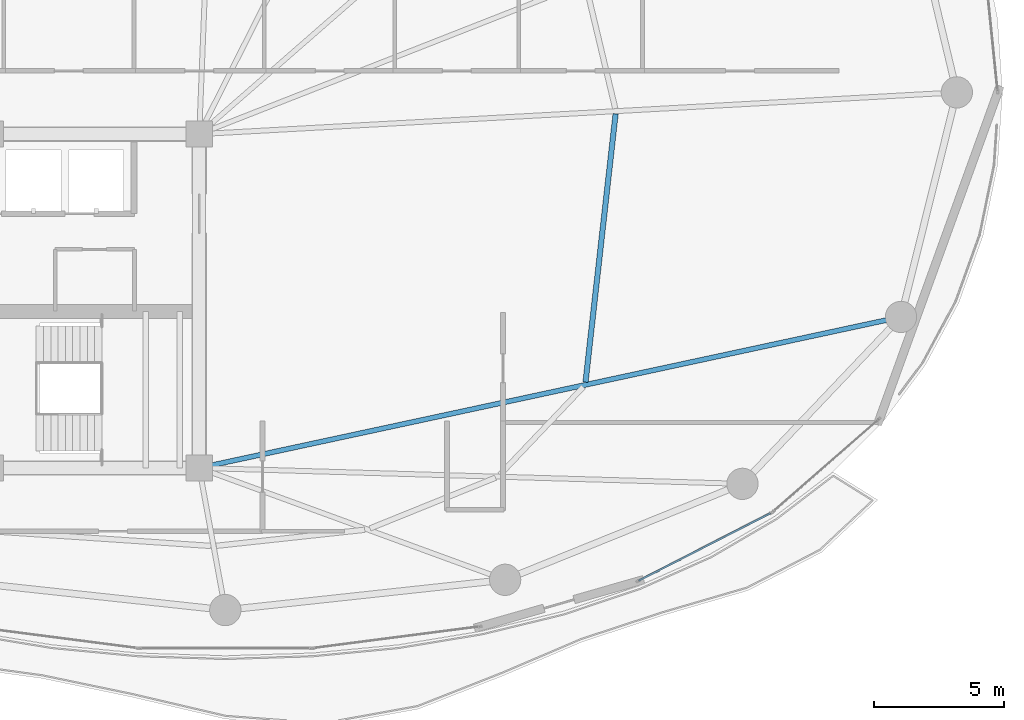
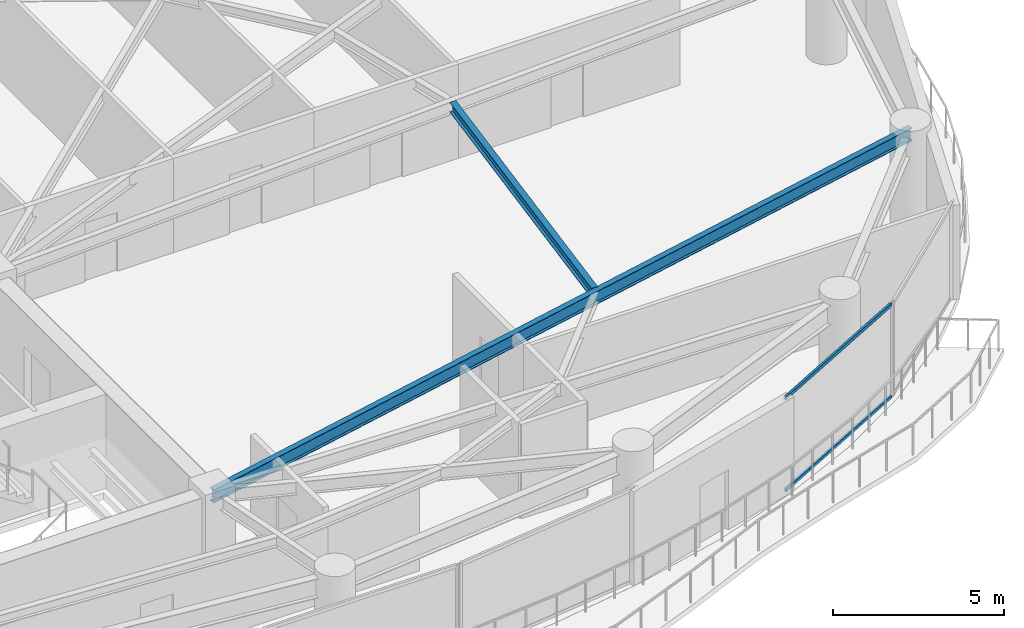
# One storey, part 12 of 30: 2 beams, 2 members, 1 element without a shape of its own.
"""IFC4 building model written with IfcOpenShell, lengths in metres."""

import ifcopenshell
import ifcopenshell.guid

model = None  # the IFC model being written
_history = None  # IfcOwnerHistory: only IFC2X3 demands one
_inside = {}  # id of a spatial element -> (the spatial element, [elements in it])
_under = {}  # id of a project, library or spatial element -> (it, [spatial elements below it])
_declared = {}  # id of a project -> (the project, [libraries it declares])
_typed = {}  # id of a type object -> (the type object, [elements of that type])
_made_of = {}  # id of a material, layer set ... -> (it, [elements and type objects made of it])


def new_model(schema):
    """Start an empty IFC model of exactly this schema.

    Asked for "IFC4X3", IfcOpenShell would pick the latest addendum, in which some entities
    have other attributes; the version numbers below select the first issue.
    IFC2X3 requires an IfcOwnerHistory on every rooted entity: one is made here for all.
    """
    global model, _history
    if schema == "IFC4X3":
        model = ifcopenshell.file(schema_version=(4, 3, 0, 0))
    else:
        model = ifcopenshell.file(schema=schema)
    _inside.clear()
    _under.clear()
    _declared.clear()
    _typed.clear()
    _made_of.clear()
    _history = None
    if model.schema == "IFC2X3":
        org = make("IfcOrganization", Name="unknown")
        user = make(
            "IfcPersonAndOrganization",
            ThePerson=make("IfcPerson", FamilyName="unknown"),
            TheOrganization=org,
        )
        app = make(
            "IfcApplication",
            ApplicationDeveloper=org,
            Version="unknown",
            ApplicationFullName="unknown",
            ApplicationIdentifier="unknown",
        )
        _history = make(
            "IfcOwnerHistory",
            OwningUser=user,
            OwningApplication=app,
            ChangeAction="ADDED",
            CreationDate=0,
        )
    return model


def make(cls, **values):
    """One entity of the class cls with the attributes given. An attribute that is None is left unset."""
    return model.create_entity(
        cls, **{name: value for name, value in values.items() if value is not None}
    )


def rooted(cls, **values):
    """An entity with a GlobalId (a new one), such as an element, a storey or a relation."""
    return make(cls, GlobalId=ifcopenshell.guid.new(), OwnerHistory=_history, **values)


def si_unit(unit_type, name, prefix=None):
    """IfcSIUnit, for example si_unit("LENGTHUNIT", "METRE", prefix="MILLI")."""
    return make("IfcSIUnit", UnitType=unit_type, Prefix=prefix, Name=name)


def assignment(units):
    """IfcUnitAssignment: the units of a project."""
    return None if units is None else make("IfcUnitAssignment", Units=units)


def point(xyz):
    """IfcCartesianPoint."""
    return None if xyz is None else make("IfcCartesianPoint", Coordinates=xyz)


def direction(xyz):
    """IfcDirection."""
    return None if xyz is None else make("IfcDirection", DirectionRatios=xyz)


def frame(location, z_axis=None, x_axis=None):
    """IfcAxis2Placement3D, a coordinate frame: its origin and axes. An axis left out is left unset."""
    return make(
        "IfcAxis2Placement3D",
        Location=point(location),
        Axis=direction(z_axis),
        RefDirection=direction(x_axis),
    )


def frame_2d(location, x_axis=None):
    """IfcAxis2Placement2D, a coordinate frame in the plane: its origin and x axis."""
    return make(
        "IfcAxis2Placement2D", Location=point(location), RefDirection=direction(x_axis)
    )


def origin():
    """The frame at (0, 0, 0) with its axes left unset."""
    return frame((0.0, 0.0, 0.0))


def origin_2d():
    """The frame at (0, 0) in the plane with its x axis left unset."""
    return frame_2d((0.0, 0.0))


def place(relative_to, where):
    """IfcLocalPlacement: puts the frame where relative to a parent placement (None: the world)."""
    return make(
        "IfcLocalPlacement", PlacementRelTo=relative_to, RelativePlacement=where
    )


def context(
    kind, dimensions, precision=None, world=None, true_north=None, identifier=None
):
    """IfcGeometricRepresentationContext, for example the 3D "Model" context."""
    return make(
        "IfcGeometricRepresentationContext",
        ContextIdentifier=identifier,
        ContextType=kind,
        CoordinateSpaceDimension=dimensions,
        Precision=precision,
        WorldCoordinateSystem=world,
        TrueNorth=true_north,
    )


def subcontext(parent, identifier, kind, view, scale=None):
    """IfcGeometricRepresentationSubContext, for example "Body" below "Model"."""
    return make(
        "IfcGeometricRepresentationSubContext",
        ContextIdentifier=identifier,
        ContextType=kind,
        ParentContext=parent,
        TargetScale=scale,
        TargetView=view,
    )


def project(units=None, contexts=None):
    """IfcProject with its units and contexts."""
    return rooted(
        "IfcProject",
        Name="project",
        RepresentationContexts=contexts,
        UnitsInContext=assignment(units),
    )


def spatial(cls, under=None, at=None, **own):
    """A site, building, storey or space (cls), placed at a placement, below another one or the project."""
    s = rooted(cls, ObjectPlacement=at, **own)
    if under is not None:
        _under.setdefault(under.id(), (under, []))[1].append(s)
    return s


def profile(cls, at=None, kind="AREA", **sizes):
    """A parametric profile (cls). Its sizes go by their IFC names, for example OverallWidth=200.0."""
    return make(cls, ProfileType=kind, Position=at, **sizes)


def hollow_rectangle(**sizes):
    """IfcRectangleHollowProfileDef."""
    return profile("IfcRectangleHollowProfileDef", **sizes)


def i_section(**sizes):
    """IfcIShapeProfileDef."""
    return profile("IfcIShapeProfileDef", **sizes)


def extrude(swept, where, along, depth):
    """IfcExtrudedAreaSolid: the profile swept, set in the frame where, extruded along a direction by depth."""
    return make(
        "IfcExtrudedAreaSolid",
        SweptArea=swept,
        Position=where,
        ExtrudedDirection=direction(along),
        Depth=depth,
    )


def shape(context_of_items, identifier, shape_type, items):
    """IfcShapeRepresentation: the items that make up one representation, for example the "Body"."""
    return make(
        "IfcShapeRepresentation",
        ContextOfItems=context_of_items,
        RepresentationIdentifier=identifier,
        RepresentationType=shape_type,
        Items=items,
    )


def material(Name=None, Category=None):
    """IfcMaterial."""
    return make("IfcMaterial", Name=Name, Category=Category)


def layer(
    of_material, thickness, ventilated=None, Name=None, Category=None, Priority=None
):
    """IfcMaterialLayer: one layer of a wall or slab, of a material (None: an air gap)."""
    return make(
        "IfcMaterialLayer",
        Material=of_material,
        LayerThickness=thickness,
        IsVentilated=ventilated,
        Name=Name,
        Category=Category,
        Priority=Priority,
    )


def layer_set(layers, Name=None):
    """IfcMaterialLayerSet."""
    return make("IfcMaterialLayerSet", MaterialLayers=layers, LayerSetName=Name)


def material_profile(
    of_material, cross_section, Name=None, Category=None, Priority=None
):
    """IfcMaterialProfile: a cross section and its material."""
    return make(
        "IfcMaterialProfile",
        Name=Name,
        Material=of_material,
        Profile=cross_section,
        Priority=Priority,
        Category=Category,
    )


def profile_set(profiles, Name=None, composite=None):
    """IfcMaterialProfileSet."""
    return make(
        "IfcMaterialProfileSet",
        Name=Name,
        MaterialProfiles=profiles,
        CompositeProfile=composite,
    )


def made_of(thing, what):
    """Note that an element or type object is made of a material, layer set ...; save() writes the relation."""
    if what is not None:
        _made_of.setdefault(what.id(), (what, []))[1].append(thing)
    return thing


def type_object(cls, material=None, **own):
    """A type object (cls), such as IfcWallType, which elements share."""
    return made_of(rooted(cls, **own), material)


def element(
    cls,
    number,
    at=None,
    inside=None,
    cuts=None,
    type_object=None,
    material=None,
    context=None,
    identifier="Body",
    shape_type=None,
    held_by="IfcProductDefinitionShape",
    body=None,
    shapes=None,
    **own,
):
    """One element of the class cls, such as IfcWall. Its Tag is "e" and its number.

    at: its placement. inside: the storey or other place that contains it. cuts: it is an
    opening in that element (IfcRelVoidsElement). A single representation is given by context,
    identifier, shape_type and body (its items); several are given by shapes. held_by: the class
    of the entity that holds the representations. save() writes the other relations.
    """
    e = rooted(cls, Tag="e%d" % number, ObjectPlacement=at, **own)
    if body is not None:
        shapes = [shape(context, identifier, shape_type, body)]
    if shapes is not None:
        e.Representation = make(held_by, Representations=shapes)
    if inside is not None:
        _inside.setdefault(inside.id(), (inside, []))[1].append(e)
    if cuts is not None:
        rooted(
            "IfcRelVoidsElement", RelatingBuildingElement=cuts, RelatedOpeningElement=e
        )
    if type_object is not None:
        _typed.setdefault(type_object.id(), (type_object, []))[1].append(e)
    return made_of(e, material)


def aggregate(whole, parts):
    """IfcRelAggregates: a whole, such as a stair, and the parts it consists of."""
    return rooted("IfcRelAggregates", RelatingObject=whole, RelatedObjects=parts)


def save(model, path):
    """Write the relations noted so far, then the file.

    IfcRelAggregates (storeys below a building ...), IfcRelContainedInSpatialStructure (elements
    in a storey), IfcRelDefinesByType, IfcRelAssociatesMaterial and IfcRelDeclares: one each for
    every whole, place, type object, material and project.
    """
    for whole, parts in _under.values():
        aggregate(whole, parts)
    for where, things in _inside.values():
        rooted(
            "IfcRelContainedInSpatialStructure",
            RelatedElements=things,
            RelatingStructure=where,
        )
    for kind, things in _typed.values():
        rooted("IfcRelDefinesByType", RelatedObjects=things, RelatingType=kind)
    for what, things in _made_of.values():
        rooted("IfcRelAssociatesMaterial", RelatedObjects=things, RelatingMaterial=what)
    for by, libraries in _declared.values():
        rooted("IfcRelDeclares", RelatingContext=by, RelatedDefinitions=libraries)
    model.write(path)


model = new_model("IFC4")

# Units and contexts
model_context = context("Model", 3, precision=1e-05, world=origin(), true_north=direction((0.0, 1.0)))
body_context = subcontext(model_context, "Body", "Model", "MODEL_VIEW")
ifc_project = project(units=[si_unit("LENGTHUNIT", "METRE"), si_unit("AREAUNIT", "SQUARE_METRE"), si_unit("VOLUMEUNIT", "CUBIC_METRE"), si_unit("PLANEANGLEUNIT", "RADIAN"), si_unit("MASSUNIT", "GRAM", prefix="KILO")], contexts=[model_context])

# Site, building, storey
site_placement = place(None, origin())
site = spatial("IfcSite", under=ifc_project, at=site_placement, CompositionType="ELEMENT")
building_placement = place(site_placement, origin())
building = spatial("IfcBuilding", under=site, at=building_placement, Name="Kazevale Care Tower and Concert Hall", CompositionType="ELEMENT")
storey_placement = place(building_placement, frame((0.0, 0.0, 127.800048828125)))
storey = spatial("IfcBuildingStorey", under=building, at=storey_placement, Name="L33", CompositionType="ELEMENT", Elevation=127.800048828125)

# Curtain wall, members
ifc_material_1 = material(Name="Aluminium 6063-T6 and Low-E Glass", Category="aluminium")
ifc_layer = layer(ifc_material_1, 0.179931640625)
ifc_layer_set = layer_set([ifc_layer], Name="Aluminium 6063-T6 and Low-E Glass")
curtain_wall_type = type_object("IfcCurtainWallType", Name="Sheltered Concave Balcony Curtain Wall CW-5", PredefinedType="NOTDEFINED", material=ifc_layer_set)
curtain_wall_placement = place(storey_placement, origin())
curtain_wall = element("IfcCurtainWall", 1, at=curtain_wall_placement, inside=storey, type_object=curtain_wall_type, Name="cw:L33:f03", PredefinedType="NOTDEFINED")
ifc_material_2 = material(Name="Aluminium 6063-T6", Category="aluminium")
ifc_material_profile_1 = material_profile(ifc_material_2, hollow_rectangle(XDim=0.074951171875, YDim=0.1201171875, WallThickness=0.00390625, at=origin_2d()), Name="ALU75x120x4")
ifc_profile_set_1 = profile_set([ifc_material_profile_1], Name="Aluminium 6063-T6")
member_type = type_object("IfcMemberType", Name="CW-5 Transom ALU75x120x4", PredefinedType="USERDEFINED", material=ifc_profile_set_1)
member_1_placement = place(storey_placement, frame((65.904296875, 21.86376953125, 0.037353515625), z_axis=(-0.890142600475, -0.455682072084, 0.0), x_axis=(0.455682072084, -0.890142600475, 0.0)))
member_1 = element("IfcMember", 2, at=member_1_placement, type_object=member_type, Name="CW-5 transom 1.1", ObjectType="TRANSOM", PredefinedType="USERDEFINED", context=body_context, shape_type="SweptSolid", body=[
    extrude(hollow_rectangle(XDim=0.074951171875, YDim=0.1201171875, WallThickness=0.00390625, at=origin_2d()), origin(), (0.0, 0.0, 1.0), 5.671630859375),
])
member_2_placement = place(storey_placement, frame((65.904296875, 21.86376953125, 3.322509765625), z_axis=(-0.890142600475, -0.455682072084, 0.0), x_axis=(0.455682072084, -0.890142600475, 0.0)))
member_2 = element("IfcMember", 3, at=member_2_placement, type_object=member_type, Name="CW-5 transom 1.2", ObjectType="TRANSOM", PredefinedType="USERDEFINED", context=body_context, shape_type="SweptSolid", body=[
    extrude(hollow_rectangle(XDim=0.074951171875, YDim=0.1201171875, WallThickness=0.00390625, at=origin_2d()), origin(), (0.0, 0.0, 1.0), 5.671630859375),
])
aggregate(curtain_wall, [member_1, member_2])

# Beams
ifc_material_3 = material(Name="Steel ASTM A572 Gr 50", Category="steel")
ifc_material_profile_2 = material_profile(ifc_material_3, i_section(OverallWidth=0.19091796875, OverallDepth=0.4599609375, WebThickness=0.010009765625, FlangeThickness=0.01611328125, at=origin_2d()), Name="W460x82")
ifc_profile_set_2 = profile_set([ifc_material_profile_2], Name="Steel ASTM A572 Gr 50")
beam_type_1 = type_object("IfcBeamType", Name="Radial Floor Beam W460x82", PredefinedType="BEAM", material=ifc_profile_set_2)
beam_1_placement = place(storey_placement, frame((44.0, 23.60009765625, 3.1298828125), z_axis=(0.97762801725, 0.210341293823, 0.0), x_axis=(-0.210341293823, 0.97762801725, 0.0)))
element("IfcBeam", 4, at=beam_1_placement, inside=storey, type_object=beam_type_1, Name="beam:L33:rad:16", PredefinedType="BEAM", context=body_context, shape_type="SweptSolid", body=[
    extrude(i_section(OverallWidth=0.19091796875, OverallDepth=0.4599609375, WebThickness=0.010009765625, FlangeThickness=0.01611328125, at=origin_2d()), origin(), (0.0, 0.0, 1.0), 27.525634765625),
])
ifc_material_profile_3 = material_profile(ifc_material_3, i_section(OverallWidth=0.205078125, OverallDepth=0.35400390625, WebThickness=0.009521484375, FlangeThickness=0.016845703125, at=origin_2d()), Name="W360x79")
ifc_profile_set_3 = profile_set([ifc_material_profile_3], Name="Steel ASTM A572 Gr 50")
beam_type_2 = type_object("IfcBeamType", Name="Secondary Floor Joist W360x79", PredefinedType="JOIST", material=ifc_profile_set_3)
beam_2_placement = place(storey_placement, frame((58.81201171875, 26.888916015625, 3.182861328125), z_axis=(0.111485011105, 0.993766115491, 0.0), x_axis=(-0.993766115491, 0.111485011105, 0.0)))
element("IfcBeam", 5, at=beam_2_placement, inside=storey, type_object=beam_type_2, Name="beam:L33:joist:16", PredefinedType="JOIST", context=body_context, shape_type="SweptSolid", body=[
    extrude(i_section(OverallWidth=0.205078125, OverallDepth=0.35400390625, WebThickness=0.009521484375, FlangeThickness=0.016845703125, at=origin_2d()), origin(), (0.0, 0.0, 1.0), 10.3515625),
])

save(model, "model.ifc")
